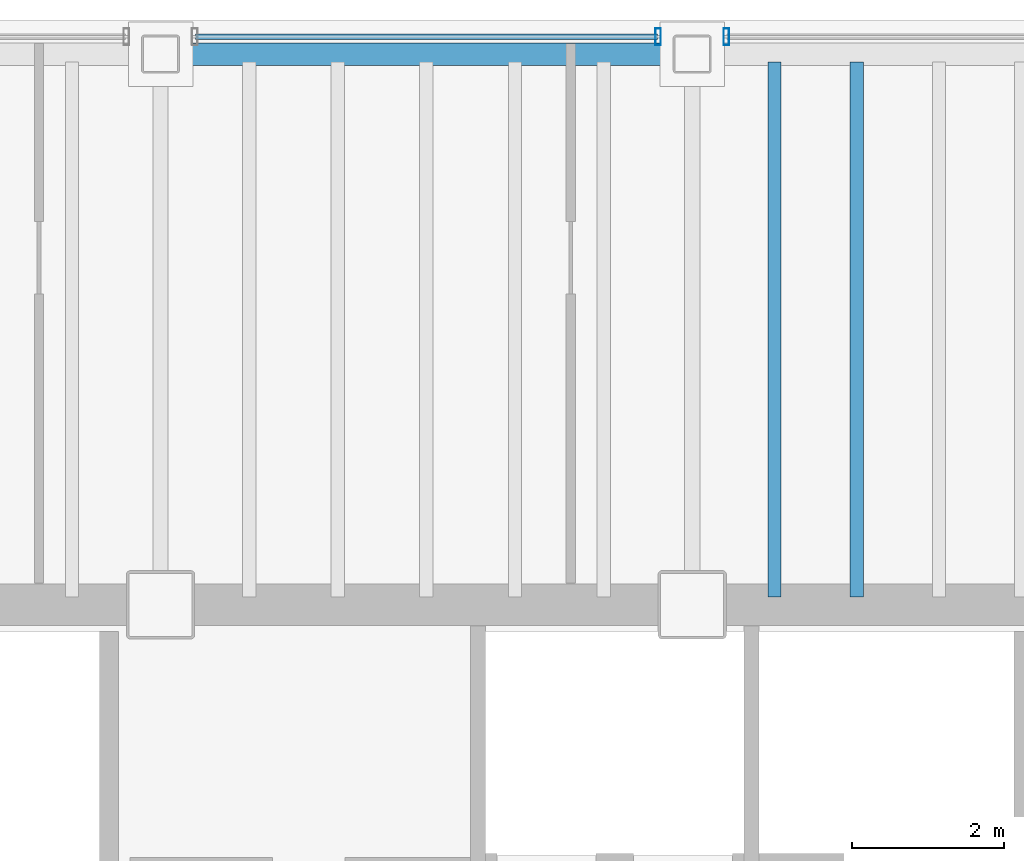
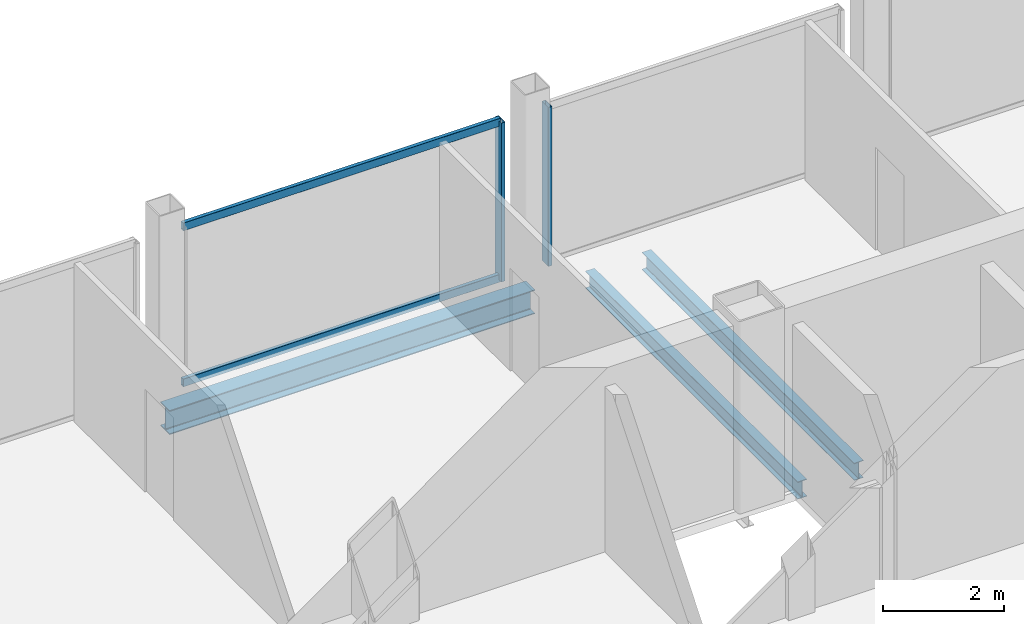
# One storey, part 10 of 19: 4 members, 3 beams, 2 elements without a shape of their own.
"""IFC4 building model written with IfcOpenShell, lengths in metres."""

from ifc_helpers import new_model, si_unit, direction, frame, origin, origin_2d, place, context, subcontext, project, spatial, hollow_rectangle, i_section, extrude, material, material_profile, profile_set, type_object, element, aggregate, save


model = new_model("IFC4")

# Units and contexts
model_context = context("Model", 3, precision=1e-05, world=origin(), true_north=direction((0.0, 1.0)))
body_context = subcontext(model_context, "Body", "Model", "MODEL_VIEW")
ifc_project = project(units=[si_unit("LENGTHUNIT", "METRE"), si_unit("AREAUNIT", "SQUARE_METRE"), si_unit("VOLUMEUNIT", "CUBIC_METRE"), si_unit("PLANEANGLEUNIT", "RADIAN"), si_unit("MASSUNIT", "GRAM", prefix="KILO")], contexts=[model_context])

# Site, building, storey
site_placement = place(None, origin())
site = spatial("IfcSite", under=ifc_project, at=site_placement, CompositionType="ELEMENT")
building_placement = place(site_placement, origin())
building = spatial("IfcBuilding", under=site, at=building_placement, Name="Noeulbin Bourse Tower", CompositionType="ELEMENT")
storey_placement = place(building_placement, frame((0.0, 0.0, 157.800048828125)))
storey = spatial("IfcBuildingStorey", under=building, at=storey_placement, Name="L39", CompositionType="ELEMENT", Elevation=157.800048828125)

# Beams
ifc_material_1 = material(Name="Steel S355", Category="steel")
ifc_material_profile_1 = material_profile(ifc_material_1, i_section(OverallWidth=0.175048828125, OverallDepth=0.35009765625, WebThickness=0.007080078125, FlangeThickness=0.010986328125, FilletRadius=0.013916015625, at=origin_2d()), Name="H-350x175x7x11", Category="LoadBearing")
ifc_profile_set_1 = profile_set([ifc_material_profile_1], Name="Steel S355")
beam_type_1 = type_object("IfcBeamType", Name="BM-JST-350", PredefinedType="JOIST", material=ifc_profile_set_1)
for number, where, z_axis, x_axis, name in (
    (1, (32.083251953125, 38.39990234375, -0.35498046875), (0.0, 1.0, 0.0), (-1.0, 0.0, 0.0), "Tower Composite Joist L39-42"),
    (2, (33.166748046875, 38.39990234375, -0.35498046875), (0.0, 1.0, 0.0), (-1.0, 0.0, 0.0), "Tower Composite Joist L39-45"),
):
    element("IfcBeam", number, at=place(storey_placement, frame(where, z_axis=z_axis, x_axis=x_axis)), inside=storey, type_object=beam_type_1, Name=name, PredefinedType="JOIST", context=body_context, shape_type="SweptSolid", body=[
        extrude(i_section(OverallWidth=0.175048828125, OverallDepth=0.35009765625, WebThickness=0.007080078125, FlangeThickness=0.010986328125, FilletRadius=0.013916015625, at=origin_2d()), origin(), (0.0, 0.0, 1.0), 7.050048828125),
    ])
ifc_material_profile_2 = material_profile(ifc_material_1, i_section(OverallWidth=0.300048828125, OverallDepth=0.488037109375, WebThickness=0.010986328125, FlangeThickness=0.01806640625, FilletRadius=0.02197265625, at=origin_2d()), Name="H-488x300x11x18", Category="LoadBearing")
ifc_profile_set_2 = profile_set([ifc_material_profile_2], Name="Steel S355")
beam_type_2 = type_object("IfcBeamType", Name="BM-SPN-488", PredefinedType="SPANDREL", material=ifc_profile_set_2)
beam_placement = place(storey_placement, frame((24.0, 45.550048828125, -0.424072265625), z_axis=(1.0, 0.0, 0.0), x_axis=(0.0, 1.0, 0.0)))
element("IfcBeam", 3, at=beam_placement, inside=storey, type_object=beam_type_2, Name="North Spandrel L39-2", PredefinedType="SPANDREL", context=body_context, shape_type="SweptSolid", body=[
    extrude(i_section(OverallWidth=0.300048828125, OverallDepth=0.488037109375, WebThickness=0.010986328125, FlangeThickness=0.01806640625, FilletRadius=0.02197265625, at=origin_2d()), origin(), (0.0, 0.0, 1.0), 7.0),
])

# Curtain wall, member
ifc_material_2 = material(Name="Dark Tinted Triple Glazing", Category="glass")
curtain_wall_type = type_object("IfcCurtainWallType", Name="CW-SYS-3", PredefinedType="NOTDEFINED", material=ifc_material_2)
curtain_wall_1_placement = place(storey_placement, origin())
curtain_wall_1 = element("IfcCurtainWall", 4, at=curtain_wall_1_placement, inside=storey, type_object=curtain_wall_type, Name="Unitised Curtain Wall CW-L39-N-S3", PredefinedType="NOTDEFINED")
ifc_material_3 = material(Name="Anodised Aluminium 6063-T6", Category="aluminium")
ifc_material_profile_3 = material_profile(ifc_material_3, hollow_rectangle(XDim=0.074951171875, YDim=0.219970703125, WallThickness=0.0048828125, InnerFilletRadius=0.00244140625, OuterFilletRadius=0.0048828125, at=origin_2d()), Name="ALU-MULL-75x220x5", Category="LoadBearing")
ifc_profile_set_3 = profile_set([ifc_material_profile_3], Name="Anodised Aluminium 6063-T6")
member_type_1 = type_object("IfcMemberType", Name="CW-SYS-3-MUL", PredefinedType="MULLION", material=ifc_profile_set_3)
member_1_placement = place(storey_placement, frame((30.550048828125, 45.780029296875, -0.02001953125), z_axis=(0.0, 0.0, 1.0), x_axis=(1.0, 0.0, 0.0)))
member_1 = element("IfcMember", 5, at=member_1_placement, type_object=member_type_1, Name="Curtain Wall Mullion CW-L39-N-S3-M01", PredefinedType="MULLION", context=body_context, shape_type="SweptSolid", body=[
    extrude(hollow_rectangle(XDim=0.074951171875, YDim=0.219970703125, WallThickness=0.0048828125, InnerFilletRadius=0.00244140625, OuterFilletRadius=0.0048828125, at=origin_2d()), origin(), (0.0, 0.0, 1.0), 3.219970703125),
])

curtain_wall_2_placement = place(storey_placement, origin())
curtain_wall_2 = element("IfcCurtainWall", 6, at=curtain_wall_2_placement, inside=storey, type_object=curtain_wall_type, Name="Unitised Curtain Wall CW-L39-N-S4", PredefinedType="NOTDEFINED")
member_2_placement = place(storey_placement, frame((31.449951171875, 45.780029296875, -0.02001953125), z_axis=(0.0, 0.0, 1.0), x_axis=(1.0, 0.0, 0.0)))
member_2 = element("IfcMember", 7, at=member_2_placement, type_object=member_type_1, Name="Curtain Wall Mullion CW-L39-N-S4-M00", PredefinedType="MULLION", context=body_context, shape_type="SweptSolid", body=[
    extrude(hollow_rectangle(XDim=0.074951171875, YDim=0.219970703125, WallThickness=0.0048828125, InnerFilletRadius=0.00244140625, OuterFilletRadius=0.0048828125, at=origin_2d()), origin(), (0.0, 0.0, 1.0), 3.219970703125),
])
aggregate(curtain_wall_2, [member_2])

# Member
ifc_material_profile_4 = material_profile(ifc_material_3, hollow_rectangle(XDim=0.074951171875, YDim=0.159912109375, WallThickness=0.0048828125, InnerFilletRadius=0.00244140625, OuterFilletRadius=0.0048828125, at=origin_2d()), Name="ALU-TRAN-75x160x5", Category="LoadBearing")
ifc_profile_set_4 = profile_set([ifc_material_profile_4], Name="Anodised Aluminium 6063-T6")
member_type_2 = type_object("IfcMemberType", Name="CW-SYS-3-TRN", PredefinedType="USERDEFINED", material=ifc_profile_set_4)
member_3_placement = place(storey_placement, frame((24.4599609375, 45.780029296875, 0.010009765625), z_axis=(1.0, 0.0, 0.0), x_axis=(0.0, 1.0, 0.0)))
member_3 = element("IfcMember", 8, at=member_3_placement, type_object=member_type_2, Name="Curtain Wall Transom CW-L39-N-S3-T00", ObjectType="TRANSOM", PredefinedType="USERDEFINED", context=body_context, shape_type="SweptSolid", body=[
    extrude(hollow_rectangle(XDim=0.074951171875, YDim=0.159912109375, WallThickness=0.0048828125, InnerFilletRadius=0.00244140625, OuterFilletRadius=0.0048828125, at=origin_2d()), origin(), (0.0, 0.0, 1.0), 6.080078125),
])

member_4_placement = place(storey_placement, frame((24.4599609375, 45.780029296875, 3.169921875), z_axis=(1.0, 0.0, 0.0), x_axis=(0.0, 1.0, 0.0)))
member_4 = element("IfcMember", 9, at=member_4_placement, type_object=member_type_2, Name="Curtain Wall Transom CW-L39-N-S3-T01", ObjectType="TRANSOM", PredefinedType="USERDEFINED", context=body_context, shape_type="SweptSolid", body=[
    extrude(hollow_rectangle(XDim=0.074951171875, YDim=0.159912109375, WallThickness=0.0048828125, InnerFilletRadius=0.00244140625, OuterFilletRadius=0.0048828125, at=origin_2d()), origin(), (0.0, 0.0, 1.0), 6.080078125),
])

aggregate(curtain_wall_1, [member_1, member_3, member_4])

save(model, "model.ifc")
